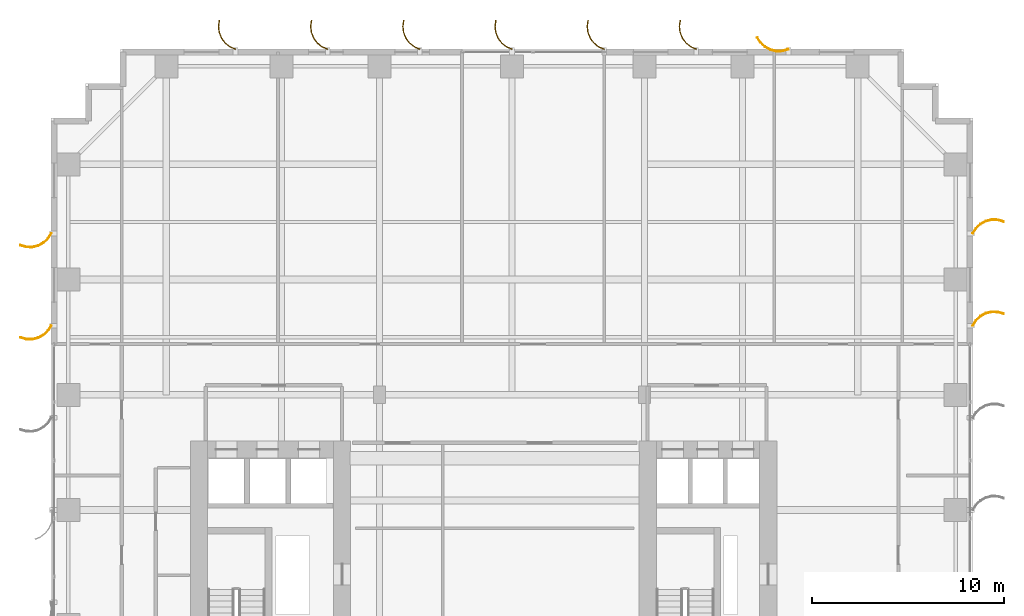
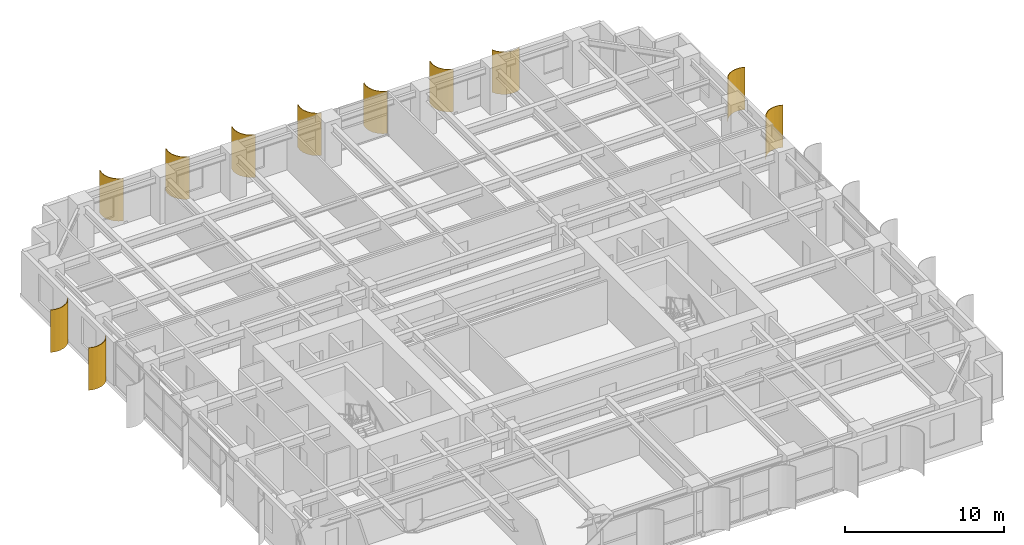
# One storey, part 25 of 25: 11 shading devices.
"""IFC4 building model written with IfcOpenShell, lengths in metres."""

from ifc_helpers import new_model, si_unit, direction, frame, origin, place, context, subcontext, project, spatial, polyline, outline, extrude, source, transform, mapped, material, layer, layer_set, type_object, element, save


model = new_model("IFC4")

# Units and contexts
model_context = context("Model", 3, precision=1e-05, world=origin(), true_north=direction((0.0, 1.0)))
body_context = subcontext(model_context, "Body", "Model", "MODEL_VIEW")
ifc_project = project(units=[si_unit("LENGTHUNIT", "METRE"), si_unit("AREAUNIT", "SQUARE_METRE"), si_unit("VOLUMEUNIT", "CUBIC_METRE"), si_unit("PLANEANGLEUNIT", "RADIAN"), si_unit("MASSUNIT", "GRAM", prefix="KILO")], contexts=[model_context])

# Site, building, storey
site_placement = place(None, origin())
site = spatial("IfcSite", under=ifc_project, at=site_placement, CompositionType="ELEMENT")
building_placement = place(site_placement, origin())
building = spatial("IfcBuilding", under=site, at=building_placement, Name="Khoralis Quay Care Tower", CompositionType="ELEMENT")
storey_placement = place(building_placement, frame((0.0, 0.0, 51.300048828125)))
storey = spatial("IfcBuildingStorey", under=building, at=storey_placement, Name="L13", CompositionType="ELEMENT", Elevation=51.300048828125)

# Shading devices
ifc_material = material(Name="Brushed pale anodised aluminium", Category="aluminium")
ifc_layer = layer(ifc_material, 0.044921875)
ifc_layer_set = layer_set([ifc_layer], Name="Brushed pale anodised aluminium")
shading_device_type = type_object("IfcShadingDeviceType", Name="SHD-FIN-1250", PredefinedType="USERDEFINED", material=ifc_layer_set)
shared_shape_1 = source(origin(), body_context, "Body", "SweptSolid", [
    extrude(outline(polyline([(0.0, 0.0), (0.130126953125, 0.29931640625), (0.333251953125, 0.5546875), (0.595458984375, 0.748779296875), (0.899169921875, 0.868408203125), (1.223388671875, 0.9052734375), (1.546142578125, 0.85693359375), (1.53369140625, 0.813720703125), (1.22265625, 0.8603515625), (0.91015625, 0.82470703125), (0.617431640625, 0.70947265625), (0.364501953125, 0.522216796875), (0.168701171875, 0.276123046875), (0.043212890625, -0.012451171875), (0.0, 0.0)])), origin(), (0.0, 0.0, 1.0), 3.260009765625),
])
for number, where, z_axis, x_axis, name in (
    (1, (33.60009765625, 47.969970703125, 0.02001953125), (0.0, 0.0, 1.0), (0.0, 1.0, 0.0), "L13 Curved Solar Fin P1E10-02"),
    (2, (28.800048828125, 47.969970703125, 0.02001953125), (0.0, 0.0, 1.0), (0.0, 1.0, 0.0), "L13 Curved Solar Fin P1E10-03"),
    (3, (24.0, 47.969970703125, 0.02001953125), (0.0, 0.0, 1.0), (0.0, 1.0, 0.0), "L13 Curved Solar Fin P1E10-04"),
    (4, (19.199951171875, 47.969970703125, 0.02001953125), (0.0, 0.0, 1.0), (0.0, 1.0, 0.0), "L13 Curved Solar Fin P1E10-05"),
    (5, (14.39990234375, 47.969970703125, 0.02001953125), (0.0, 0.0, 1.0), (0.0, 1.0, 0.0), "L13 Curved Solar Fin P1E10-06"),
    (6, (9.60009765625, 47.969970703125, 0.02001953125), (0.0, 0.0, 1.0), (0.0, 1.0, 0.0), "L13 Curved Solar Fin P1E10-07"),
):
    element("IfcShadingDevice", number, at=place(storey_placement, frame(where, z_axis=z_axis, x_axis=x_axis)), inside=storey, type_object=shading_device_type, Name=name, ObjectType="FIN", PredefinedType="USERDEFINED", context=body_context, shape_type="MappedRepresentation", body=[
        mapped(shared_shape_1, transform((0.0, 0.0, 0.0), scale=1.0)),
    ])
shared_shape_2 = source(origin(), body_context, "Body", "SweptSolid", [
    extrude(outline(polyline([(0.0, 0.0), (0.17041015625, 0.2783203125), (0.4072265625, 0.5029296875), (0.694091796875, 0.658447265625), (1.01123046875, 0.734619140625), (1.33740234375, 0.72607421875), (1.650390625, 0.633544921875), (1.632080078125, 0.59228515625), (1.330322265625, 0.681640625), (1.015869140625, 0.68994140625), (0.710205078125, 0.616455078125), (0.43359375, 0.466552734375), (0.20556640625, 0.25), (0.041015625, -0.018310546875), (0.0, 0.0)])), origin(), (0.0, 0.0, 1.0), 3.260009765625),
])
for number, where, z_axis, x_axis, name in (
    (7, (47.969970703125, 33.60009765625, 0.02001953125), (0.0, 0.0, 1.0), (1.0, 0.0, 0.0), "L13 Curved Solar Fin P1E5-06"),
    (8, (47.969970703125, 38.39990234375, 0.02001953125), (0.0, 0.0, 1.0), (1.0, 0.0, 0.0), "L13 Curved Solar Fin P1E5-07"),
    (9, (0.030029296875, 38.39990234375, 0.02001953125), (0.0, 0.0, 1.0), (-1.0, 0.0, 0.0), "L13 Curved Solar Fin P1E15-01"),
    (10, (0.030029296875, 33.60009765625, 0.02001953125), (0.0, 0.0, 1.0), (-1.0, 0.0, 0.0), "L13 Curved Solar Fin P1E15-02"),
):
    element("IfcShadingDevice", number, at=place(storey_placement, frame(where, z_axis=z_axis, x_axis=x_axis)), inside=storey, type_object=shading_device_type, Name=name, ObjectType="FIN", PredefinedType="USERDEFINED", context=body_context, shape_type="MappedRepresentation", body=[
        mapped(shared_shape_2, transform((0.0, 0.0, 0.0), scale=1.0)),
    ])
shared_shape_3 = source(origin(), body_context, "Body", "SweptSolid", [
    extrude(outline(polyline([(0.0, 0.0), (-0.0927734375, 0.31298828125), (-0.101318359375, 0.63916015625), (-0.025146484375, 0.956298828125), (0.130615234375, 1.2431640625), (0.355224609375, 1.479736328125), (0.633544921875, 1.650390625), (0.65185546875, 1.609130859375), (0.383544921875, 1.44482421875), (0.1669921875, 1.216796875), (0.01708984375, 0.940185546875), (-0.056396484375, 0.63427734375), (-0.04833984375, 0.31982421875), (0.041015625, 0.018310546875), (0.0, 0.0)])), origin(), (0.0, 0.0, 1.0), 3.260009765625),
])
shading_device_placement = place(storey_placement, frame((38.39990234375, 47.969970703125, 0.02001953125), z_axis=(0.0, 0.0, 1.0), x_axis=(0.0, 1.0, 0.0)))
element("IfcShadingDevice", 11, at=shading_device_placement, inside=storey, type_object=shading_device_type, Name="L13 Curved Solar Fin P1E10-01", ObjectType="FIN", PredefinedType="USERDEFINED", context=body_context, shape_type="MappedRepresentation", body=[
    mapped(shared_shape_3, transform((0.0, 0.0, 0.0), scale=1.0)),
])

save(model, "model.ifc")
